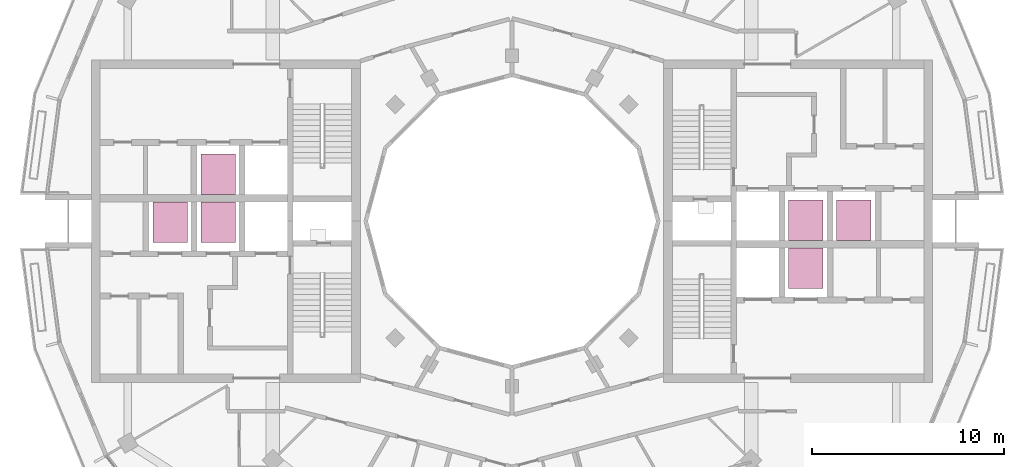
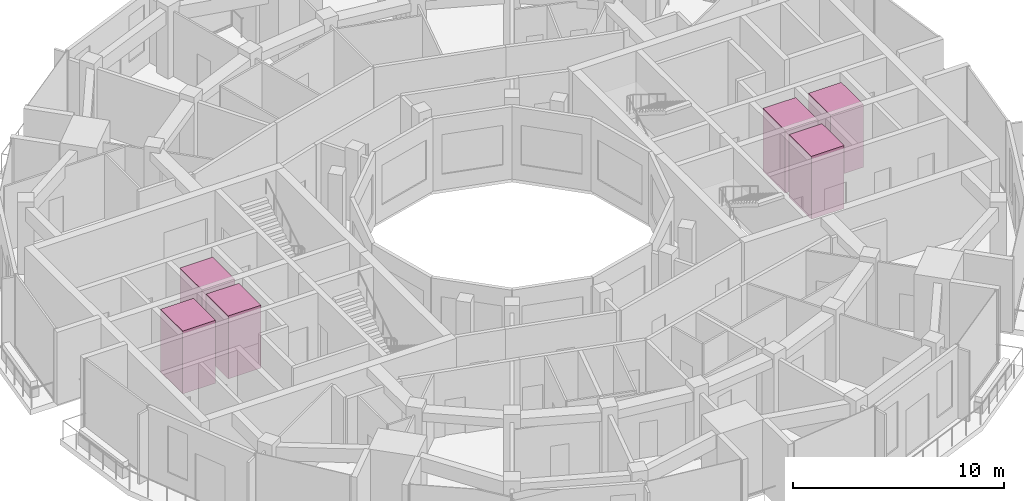
# One storey, part 17 of 17: 6 transport elements.
"""IFC4 building model written with IfcOpenShell, lengths in metres."""

from ifc_helpers import new_model, si_unit, direction, frame, origin, origin_2d, place, context, subcontext, project, spatial, rectangle, extrude, material, type_object, element, save


model = new_model("IFC4")

# Units and contexts
model_context = context("Model", 3, precision=1e-05, world=origin(), true_north=direction((0.0, 1.0)))
body_context = subcontext(model_context, "Body", "Model", "MODEL_VIEW")
ifc_project = project(units=[si_unit("LENGTHUNIT", "METRE"), si_unit("AREAUNIT", "SQUARE_METRE"), si_unit("VOLUMEUNIT", "CUBIC_METRE"), si_unit("PLANEANGLEUNIT", "RADIAN"), si_unit("MASSUNIT", "GRAM", prefix="KILO")], contexts=[model_context])

# Site, building, storey
site_placement = place(None, origin())
site = spatial("IfcSite", under=ifc_project, at=site_placement, CompositionType="ELEMENT")
building_placement = place(site_placement, origin())
building = spatial("IfcBuilding", under=site, at=building_placement, Name="Torre Brocal", CompositionType="ELEMENT")
storey_placement = place(building_placement, frame((0.0, 0.0, 275.699951171875)))
storey = spatial("IfcBuildingStorey", under=building, at=storey_placement, Name="L63", CompositionType="ELEMENT", Elevation=275.699951171875)

# Transport elements
ifc_material = material(Name="Stainless steel AISI 316", Category="steel")
transport_element_type = type_object("IfcTransportElementType", Name="PASSENGER LIFT", PredefinedType="ELEVATOR", material=ifc_material)
for number, where, z_axis, x_axis, name in (
    (1, (95.300048828125, 75.050048828125, 0.0), (0.0, 0.0, 1.0), (1.0, 0.0, 0.0), "HIGH RISE LIFT E-HR1"),
    (2, (95.300048828125, 72.550048828125, 0.0), (0.0, 0.0, 1.0), (1.0, 0.0, 0.0), "HIGH RISE LIFT E-HR2"),
    (3, (97.800048828125, 75.050048828125, 0.0), (0.0, 0.0, 1.0), (1.0, 0.0, 0.0), "HIGH RISE LIFT E-HR3"),
    (4, (64.699951171875, 74.949951171875, 0.0), (0.0, 0.0, 1.0), (1.0, 0.0, 0.0), "HIGH RISE LIFT W-HR1"),
    (5, (64.699951171875, 77.449951171875, 0.0), (0.0, 0.0, 1.0), (1.0, 0.0, 0.0), "HIGH RISE LIFT W-HR2"),
    (6, (62.199951171875, 74.949951171875, 0.0), (0.0, 0.0, 1.0), (1.0, 0.0, 0.0), "HIGH RISE LIFT W-HR3"),
):
    element("IfcTransportElement", number, at=place(storey_placement, frame(where, z_axis=z_axis, x_axis=x_axis)), inside=storey, type_object=transport_element_type, Name=name, PredefinedType="ELEVATOR", context=body_context, shape_type="SweptSolid", body=[
        extrude(rectangle(XDim=1.800048828125, YDim=2.10009765625, at=origin_2d()), origin(), (0.0, 0.0, 1.0), 3.64990234375),
    ])

save(model, "model.ifc")
